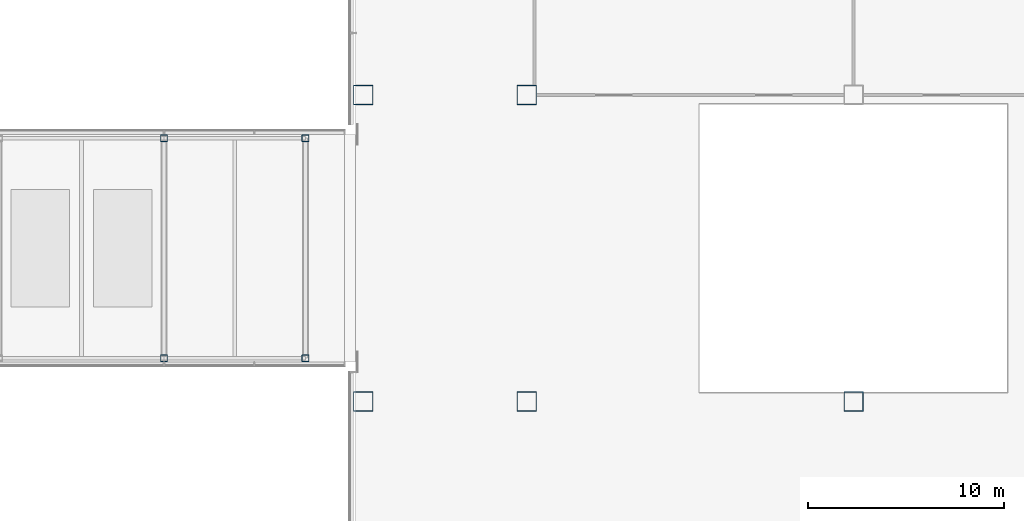
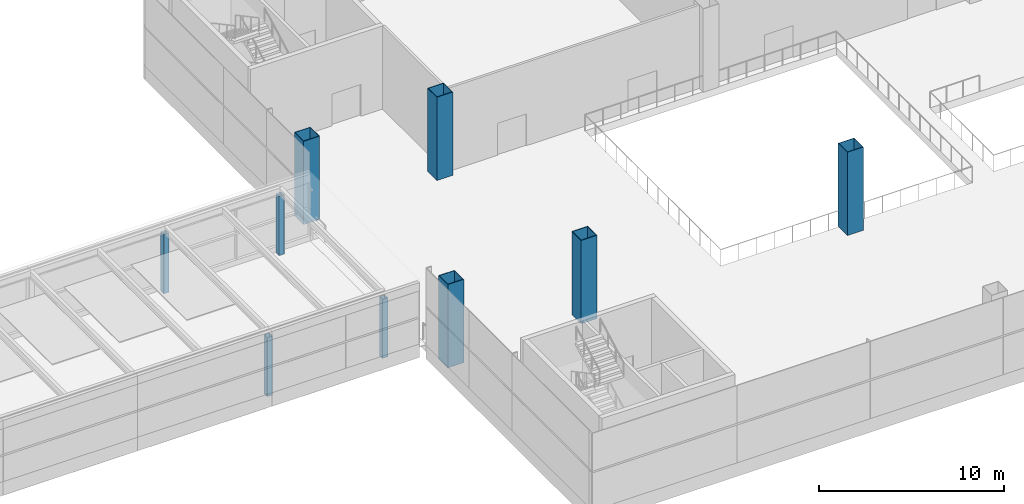
# One storey, part 10 of 100: 9 columns.
"""IFC4 building model written with IfcOpenShell, lengths in metres."""

from ifc_helpers import new_model, si_unit, direction, frame, origin, origin_2d, place, context, subcontext, project, spatial, hollow_rectangle, extrude, material, material_profile, profile_set, type_object, element, save


model = new_model("IFC4")

# Units and contexts
model_context = context("Model", 3, precision=1e-05, world=origin(), true_north=direction((0.0, 1.0)))
body_context = subcontext(model_context, "Body", "Model", "MODEL_VIEW")
ifc_project = project(units=[si_unit("LENGTHUNIT", "METRE"), si_unit("AREAUNIT", "SQUARE_METRE"), si_unit("VOLUMEUNIT", "CUBIC_METRE"), si_unit("PLANEANGLEUNIT", "RADIAN"), si_unit("MASSUNIT", "GRAM", prefix="KILO")], contexts=[model_context])

# Site, building, storey
site_placement = place(None, origin())
site = spatial("IfcSite", under=ifc_project, at=site_placement, CompositionType="ELEMENT")
building_placement = place(site_placement, origin())
building = spatial("IfcBuilding", under=site, at=building_placement, Name="Hakoniwa Tower and Hamabe Station Hall", CompositionType="ELEMENT")
storey_placement = place(building_placement, frame((0.0, 0.0, 9.0)))
storey = spatial("IfcBuildingStorey", under=building, at=storey_placement, Name="L02", CompositionType="ELEMENT", Elevation=9.0)

# Columns
ifc_material_1 = material(Name="Steel BCR295", Category="steel")
ifc_material_profile_1 = material_profile(ifc_material_1, hollow_rectangle(XDim=0.35009765625, YDim=0.35009765625, WallThickness=0.011962890625, OuterFilletRadius=0.026123046875, at=origin_2d()), Name="ARCADE COLUMN BCR-350x350x12")
ifc_profile_set_1 = profile_set([ifc_material_profile_1], Name="Steel BCR295")
column_type_1 = type_object("IfcColumnType", Name="ARCADE COLUMN BCR-350x350x12", PredefinedType="COLUMN", material=ifc_profile_set_1)
for number, where, z_axis, x_axis, name in (
    (1, (75.800048828125, -5.60009765625, 0.0), (0.0, 0.0, 1.0), (1.0, 0.0, 0.0), "Arcade upper column AC3S"),
    (2, (75.800048828125, 5.60009765625, 0.0), (0.0, 0.0, 1.0), (1.0, 0.0, 0.0), "Arcade upper column AC3N"),
    (3, (83.0, -5.60009765625, 0.0), (0.0, 0.0, 1.0), (1.0, 0.0, 0.0), "Arcade upper column AC4S"),
    (4, (83.0, 5.60009765625, 0.0), (0.0, 0.0, 1.0), (1.0, 0.0, 0.0), "Arcade upper column AC4N"),
):
    element("IfcColumn", number, at=place(storey_placement, frame(where, z_axis=z_axis, x_axis=x_axis)), inside=storey, type_object=column_type_1, Name=name, PredefinedType="COLUMN", context=body_context, shape_type="SweptSolid", body=[
        extrude(hollow_rectangle(XDim=0.35009765625, YDim=0.35009765625, WallThickness=0.011962890625, OuterFilletRadius=0.026123046875, at=origin_2d()), origin(), (0.0, 0.0, 1.0), 3.89990234375),
    ])
ifc_material_2 = material(Name="Steel BCP325", Category="steel")
ifc_material_profile_2 = material_profile(ifc_material_2, hollow_rectangle(XDim=1.0, YDim=1.0, WallThickness=0.035888671875, at=origin_2d()), Name="STATION BOX COLUMN 1000X1000X36")
ifc_profile_set_2 = profile_set([ifc_material_profile_2], Name="Steel BCP325")
column_type_2 = type_object("IfcColumnType", Name="STATION BOX COLUMN 1000X1000X36", PredefinedType="COLUMN", material=ifc_profile_set_2)
for number, where, z_axis, x_axis, name in (
    (5, (85.949951171875, -7.800048828125, 0.0), (0.0, 0.0, 1.0), (1.0, 0.0, 0.0), "Station column S1C"),
    (6, (85.949951171875, 7.800048828125, 0.0), (0.0, 0.0, 1.0), (1.0, 0.0, 0.0), "Station column S1E"),
    (7, (94.27001953125, -7.800048828125, 0.0), (0.0, 0.0, 1.0), (1.0, 0.0, 0.0), "Station column S2C"),
    (8, (94.27001953125, 7.800048828125, 0.0), (0.0, 0.0, 1.0), (1.0, 0.0, 0.0), "Station column S2E"),
    (9, (110.909912109375, -7.800048828125, 0.0), (0.0, 0.0, 1.0), (1.0, 0.0, 0.0), "Station column S4C"),
):
    element("IfcColumn", number, at=place(storey_placement, frame(where, z_axis=z_axis, x_axis=x_axis)), inside=storey, type_object=column_type_2, Name=name, PredefinedType="COLUMN", context=body_context, shape_type="SweptSolid", body=[
        extrude(hollow_rectangle(XDim=1.0, YDim=1.0, WallThickness=0.035888671875, at=origin_2d()), origin(), (0.0, 0.0, 1.0), 5.5),
    ])

save(model, "model.ifc")
